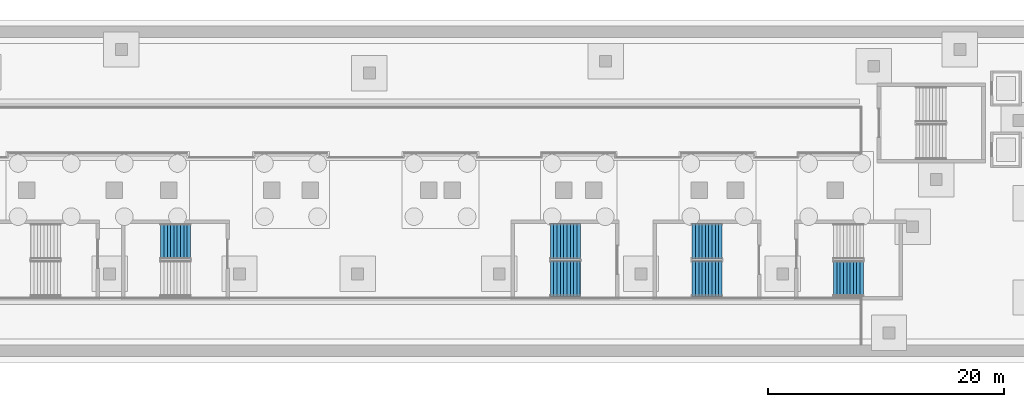
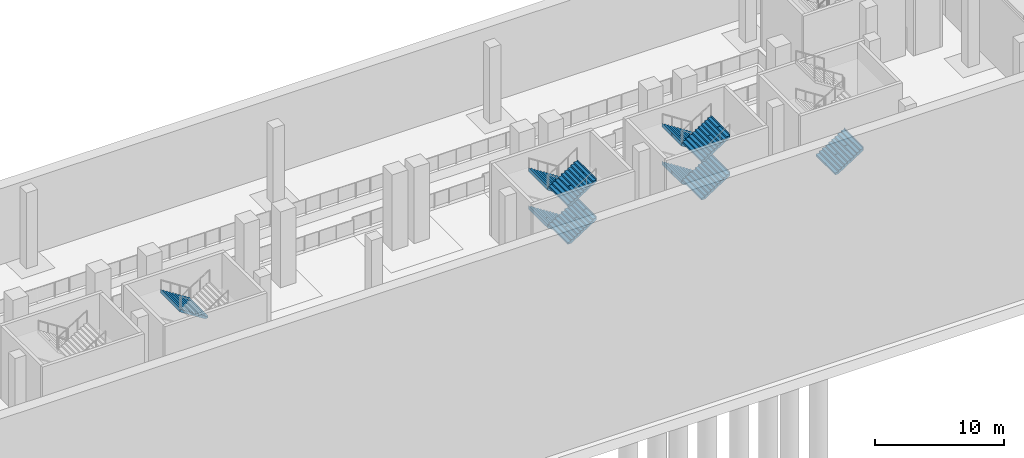
# One storey, part 7 of 15: 10 stair flights, 4 elements without a shape of their own.
"""IFC4 building model written with IfcOpenShell, lengths in metres."""

from ifc_helpers import new_model, si_unit, direction, frame, origin, place, context, subcontext, project, spatial, polyline, outline, extrude, material, type_object, element, aggregate, save


model = new_model("IFC4")

# Units and contexts
model_context = context("Model", 3, precision=1e-05, world=origin(), true_north=direction((0.0, 1.0)))
body_context = subcontext(model_context, "Body", "Model", "MODEL_VIEW")
ifc_project = project(units=[si_unit("LENGTHUNIT", "METRE"), si_unit("AREAUNIT", "SQUARE_METRE"), si_unit("VOLUMEUNIT", "CUBIC_METRE"), si_unit("PLANEANGLEUNIT", "RADIAN"), si_unit("MASSUNIT", "GRAM", prefix="KILO")], contexts=[model_context])

# Site, building, storey
site_placement = place(None, origin())
site = spatial("IfcSite", under=ifc_project, at=site_placement, CompositionType="ELEMENT")
building_placement = place(site_placement, origin())
building = spatial("IfcBuilding", under=site, at=building_placement, Name="Wharfspan Tower", CompositionType="ELEMENT")
storey_placement = place(building_placement, frame((0.0, 0.0, -14.399902)))
storey = spatial("IfcBuildingStorey", under=building, at=storey_placement, Name="B2", CompositionType="ELEMENT", Elevation=-14.399902)

# Stair, stair flight
ifc_material = material(Name="Concrete C40/50", Category="concrete")
stair_type = type_object("IfcStairType", Name="Half-turn stair 3000 wide 40 risers 180 mm", PredefinedType="HALF_TURN_STAIR", material=ifc_material)
stair_1_placement = place(storey_placement, origin())
stair_1 = element("IfcStair", 1, at=stair_1_placement, inside=storey, type_object=stair_type, Name="B2 stair SB2", PredefinedType="HALF_TURN_STAIR")
stair_flight_type = type_object("IfcStairFlightType", Name="Stair flight 3000 wide 40 risers 180 mm", PredefinedType="STRAIGHT", material=ifc_material)
stair_flight_1_placement = place(storey_placement, frame((25.850098, -26.25, 3.599854), z_axis=(0.0, 0.0, 1.0), x_axis=(-1.0, 0.0, 0.0)))
stair_flight_1 = element("IfcStairFlight", 2, at=stair_flight_1_placement, type_object=stair_flight_type, Name="SB2 flight 3", NumberOfRisers=10, NumberOfTreads=9, PredefinedType="STRAIGHT", RiserHeight=0.18, TreadLength=0.28, context=body_context, shape_type="SweptSolid", body=[
    extrude(outline(polyline([(-0.011963, 0.0), (-0.011963, 0.179932), (0.0, 0.179932), (0.280029, 0.179932), (0.280029, 0.360107), (0.560059, 0.360107), (0.560059, 0.540039), (0.840088, 0.540039), (0.840088, 0.719971), (1.120117, 0.719971), (1.120117, 0.899902), (1.399902, 0.899902), (1.399902, 1.080078), (1.679932, 1.080078), (1.679932, 1.26001), (1.959961, 1.26001), (1.959961, 1.439941), (2.23999, 1.439941), (2.23999, 1.620117), (2.52002, 1.620117), (2.531982, 1.800049), (2.531982, 1.441895), (0.2771, 0.0), (-0.011963, 0.0)])), frame((0.0, 1.5, 0.0), z_axis=(0.0, -1.0, 0.0), x_axis=(1.0, 0.0, 0.0)), (0.0, 0.0, 1.0), 1.479492),
    extrude(outline(polyline([(-0.011963, 0.0), (-0.011963, 0.179932), (0.0, 0.179932), (0.280029, 0.179932), (0.280029, 0.360107), (0.560059, 0.360107), (0.560059, 0.540039), (0.840088, 0.540039), (0.840088, 0.719971), (1.120117, 0.719971), (1.120117, 0.899902), (1.399902, 0.899902), (1.399902, 1.080078), (1.679932, 1.080078), (1.679932, 1.26001), (1.959961, 1.26001), (1.959961, 1.439941), (2.23999, 1.439941), (2.23999, 1.620117), (2.52002, 1.620117), (2.531982, 1.800049), (2.531982, 1.441895), (0.2771, 0.0), (-0.011963, 0.0)])), frame((0.0, 0.019531, 0.0), z_axis=(0.0, -1.0, 0.0), x_axis=(1.0, 0.0, 0.0)), (0.0, 0.0, 1.0), 0.019043),
    extrude(outline(polyline([(-0.011963, 0.0), (-0.011963, 0.179932), (0.0, 0.179932), (0.280029, 0.179932), (0.280029, 0.360107), (0.560059, 0.360107), (0.560059, 0.540039), (0.840088, 0.540039), (0.840088, 0.719971), (1.120117, 0.719971), (1.120117, 0.899902), (1.399902, 0.899902), (1.399902, 1.080078), (1.679932, 1.080078), (1.679932, 1.26001), (1.959961, 1.26001), (1.959961, 1.439941), (2.23999, 1.439941), (2.23999, 1.620117), (2.52002, 1.620117), (2.531982, 1.800049), (2.531982, 1.441895), (0.2771, 0.0), (-0.011963, 0.0)])), frame((0.0, -0.000488, 0.0), z_axis=(0.0, -1.0, 0.0), x_axis=(1.0, 0.0, 0.0)), (0.0, 0.0, 1.0), 0.019043),
    extrude(outline(polyline([(-0.011963, 0.0), (-0.011963, 0.179932), (0.0, 0.179932), (0.280029, 0.179932), (0.280029, 0.360107), (0.560059, 0.360107), (0.560059, 0.540039), (0.840088, 0.540039), (0.840088, 0.719971), (1.120117, 0.719971), (1.120117, 0.899902), (1.399902, 0.899902), (1.399902, 1.080078), (1.679932, 1.080078), (1.679932, 1.26001), (1.959961, 1.26001), (1.959961, 1.439941), (2.23999, 1.439941), (2.23999, 1.620117), (2.52002, 1.620117), (2.531982, 1.800049), (2.531982, 1.441895), (0.2771, 0.0), (-0.011963, 0.0)])), frame((0.0, -0.020508, 0.0), z_axis=(0.0, -1.0, 0.0), x_axis=(1.0, 0.0, 0.0)), (0.0, 0.0, 1.0), 1.479492),
])
aggregate(stair_1, [stair_flight_1])

# Stair, stair flights
stair_2_placement = place(storey_placement, origin())
stair_2 = element("IfcStair", 3, at=stair_2_placement, inside=storey, type_object=stair_type, Name="B2 stair SB3", PredefinedType="HALF_TURN_STAIR")
stair_flight_2_placement = place(storey_placement, frame((58.850098, -26.25, 0.0), z_axis=(0.0, 0.0, 1.0), x_axis=(-1.0, 0.0, 0.0)))
stair_flight_2 = element("IfcStairFlight", 4, at=stair_flight_2_placement, type_object=stair_flight_type, Name="SB3 flight 1", NumberOfRisers=10, NumberOfTreads=9, PredefinedType="STRAIGHT", RiserHeight=0.18, TreadLength=0.28, context=body_context, shape_type="SweptSolid", body=[
    extrude(outline(polyline([(-0.011963, 0.0), (-0.011963, 0.179932), (0.0, 0.179932), (0.280029, 0.179932), (0.280029, 0.360107), (0.560059, 0.360107), (0.560059, 0.540039), (0.840088, 0.540039), (0.840088, 0.719971), (1.120117, 0.719971), (1.120117, 0.899902), (1.399902, 0.899902), (1.399902, 1.080078), (1.679932, 1.080078), (1.679932, 1.26001), (1.959961, 1.26001), (1.959961, 1.439941), (2.23999, 1.439941), (2.23999, 1.620117), (2.52002, 1.620117), (2.531982, 1.800049), (2.531982, 1.441895), (0.2771, 0.0), (-0.011963, 0.0)])), frame((0.0, 1.5, 0.0), z_axis=(0.0, -1.0, 0.0), x_axis=(1.0, 0.0, 0.0)), (0.0, 0.0, 1.0), 1.479492),
    extrude(outline(polyline([(-0.011963, 0.0), (-0.011963, 0.179932), (0.0, 0.179932), (0.280029, 0.179932), (0.280029, 0.360107), (0.560059, 0.360107), (0.560059, 0.540039), (0.840088, 0.540039), (0.840088, 0.719971), (1.120117, 0.719971), (1.120117, 0.899902), (1.399902, 0.899902), (1.399902, 1.080078), (1.679932, 1.080078), (1.679932, 1.26001), (1.959961, 1.26001), (1.959961, 1.439941), (2.23999, 1.439941), (2.23999, 1.620117), (2.52002, 1.620117), (2.531982, 1.800049), (2.531982, 1.441895), (0.2771, 0.0), (-0.011963, 0.0)])), frame((0.0, 0.019531, 0.0), z_axis=(0.0, -1.0, 0.0), x_axis=(1.0, 0.0, 0.0)), (0.0, 0.0, 1.0), 0.019043),
    extrude(outline(polyline([(-0.011963, 0.0), (-0.011963, 0.179932), (0.0, 0.179932), (0.280029, 0.179932), (0.280029, 0.360107), (0.560059, 0.360107), (0.560059, 0.540039), (0.840088, 0.540039), (0.840088, 0.719971), (1.120117, 0.719971), (1.120117, 0.899902), (1.399902, 0.899902), (1.399902, 1.080078), (1.679932, 1.080078), (1.679932, 1.26001), (1.959961, 1.26001), (1.959961, 1.439941), (2.23999, 1.439941), (2.23999, 1.620117), (2.52002, 1.620117), (2.531982, 1.800049), (2.531982, 1.441895), (0.2771, 0.0), (-0.011963, 0.0)])), frame((0.0, -0.000488, 0.0), z_axis=(0.0, -1.0, 0.0), x_axis=(1.0, 0.0, 0.0)), (0.0, 0.0, 1.0), 0.019043),
    extrude(outline(polyline([(-0.011963, 0.0), (-0.011963, 0.179932), (0.0, 0.179932), (0.280029, 0.179932), (0.280029, 0.360107), (0.560059, 0.360107), (0.560059, 0.540039), (0.840088, 0.540039), (0.840088, 0.719971), (1.120117, 0.719971), (1.120117, 0.899902), (1.399902, 0.899902), (1.399902, 1.080078), (1.679932, 1.080078), (1.679932, 1.26001), (1.959961, 1.26001), (1.959961, 1.439941), (2.23999, 1.439941), (2.23999, 1.620117), (2.52002, 1.620117), (2.531982, 1.800049), (2.531982, 1.441895), (0.2771, 0.0), (-0.011963, 0.0)])), frame((0.0, -0.020508, 0.0), z_axis=(0.0, -1.0, 0.0), x_axis=(1.0, 0.0, 0.0)), (0.0, 0.0, 1.0), 1.479492),
])
stair_flight_3_placement = place(storey_placement, frame((56.330078, -29.399902, 1.799805), z_axis=(0.0, 0.0, 1.0), x_axis=(1.0, 0.0, 0.0)))
stair_flight_3 = element("IfcStairFlight", 5, at=stair_flight_3_placement, type_object=stair_flight_type, Name="SB3 flight 2", NumberOfRisers=10, NumberOfTreads=9, PredefinedType="STRAIGHT", RiserHeight=0.18, TreadLength=0.28, context=body_context, shape_type="SweptSolid", body=[
    extrude(outline(polyline([(-0.011963, 0.0), (-0.011963, 0.179932), (0.0, 0.179932), (0.280029, 0.179932), (0.280029, 0.360107), (0.560059, 0.360107), (0.560059, 0.540039), (0.840088, 0.540039), (0.840088, 0.719971), (1.120117, 0.719971), (1.120117, 0.899902), (1.399902, 0.899902), (1.399902, 1.080078), (1.679932, 1.080078), (1.679932, 1.26001), (1.959961, 1.26001), (1.959961, 1.439941), (2.23999, 1.439941), (2.23999, 1.620117), (2.52002, 1.620117), (2.531982, 1.800049), (2.531982, 1.441895), (0.2771, 0.0), (-0.011963, 0.0)])), frame((0.0, 1.5, 0.0), z_axis=(0.0, -1.0, 0.0), x_axis=(1.0, 0.0, 0.0)), (0.0, 0.0, 1.0), 1.479492),
    extrude(outline(polyline([(-0.011963, 0.0), (-0.011963, 0.179932), (0.0, 0.179932), (0.280029, 0.179932), (0.280029, 0.360107), (0.560059, 0.360107), (0.560059, 0.540039), (0.840088, 0.540039), (0.840088, 0.719971), (1.120117, 0.719971), (1.120117, 0.899902), (1.399902, 0.899902), (1.399902, 1.080078), (1.679932, 1.080078), (1.679932, 1.26001), (1.959961, 1.26001), (1.959961, 1.439941), (2.23999, 1.439941), (2.23999, 1.620117), (2.52002, 1.620117), (2.531982, 1.800049), (2.531982, 1.441895), (0.2771, 0.0), (-0.011963, 0.0)])), frame((0.0, 0.019531, 0.0), z_axis=(0.0, -1.0, 0.0), x_axis=(1.0, 0.0, 0.0)), (0.0, 0.0, 1.0), 0.019043),
    extrude(outline(polyline([(-0.011963, 0.0), (-0.011963, 0.179932), (0.0, 0.179932), (0.280029, 0.179932), (0.280029, 0.360107), (0.560059, 0.360107), (0.560059, 0.540039), (0.840088, 0.540039), (0.840088, 0.719971), (1.120117, 0.719971), (1.120117, 0.899902), (1.399902, 0.899902), (1.399902, 1.080078), (1.679932, 1.080078), (1.679932, 1.26001), (1.959961, 1.26001), (1.959961, 1.439941), (2.23999, 1.439941), (2.23999, 1.620117), (2.52002, 1.620117), (2.531982, 1.800049), (2.531982, 1.441895), (0.2771, 0.0), (-0.011963, 0.0)])), frame((0.0, -0.000488, 0.0), z_axis=(0.0, -1.0, 0.0), x_axis=(1.0, 0.0, 0.0)), (0.0, 0.0, 1.0), 0.019043),
    extrude(outline(polyline([(-0.011963, 0.0), (-0.011963, 0.179932), (0.0, 0.179932), (0.280029, 0.179932), (0.280029, 0.360107), (0.560059, 0.360107), (0.560059, 0.540039), (0.840088, 0.540039), (0.840088, 0.719971), (1.120117, 0.719971), (1.120117, 0.899902), (1.399902, 0.899902), (1.399902, 1.080078), (1.679932, 1.080078), (1.679932, 1.26001), (1.959961, 1.26001), (1.959961, 1.439941), (2.23999, 1.439941), (2.23999, 1.620117), (2.52002, 1.620117), (2.531982, 1.800049), (2.531982, 1.441895), (0.2771, 0.0), (-0.011963, 0.0)])), frame((0.0, -0.020508, 0.0), z_axis=(0.0, -1.0, 0.0), x_axis=(1.0, 0.0, 0.0)), (0.0, 0.0, 1.0), 1.479492),
])
stair_flight_4_placement = place(storey_placement, frame((58.850098, -26.25, 3.599854), z_axis=(0.0, 0.0, 1.0), x_axis=(-1.0, 0.0, 0.0)))
stair_flight_4 = element("IfcStairFlight", 6, at=stair_flight_4_placement, type_object=stair_flight_type, Name="SB3 flight 3", NumberOfRisers=10, NumberOfTreads=9, PredefinedType="STRAIGHT", RiserHeight=0.18, TreadLength=0.28, context=body_context, shape_type="SweptSolid", body=[
    extrude(outline(polyline([(-0.011963, 0.0), (-0.011963, 0.179932), (0.0, 0.179932), (0.280029, 0.179932), (0.280029, 0.360107), (0.560059, 0.360107), (0.560059, 0.540039), (0.840088, 0.540039), (0.840088, 0.719971), (1.120117, 0.719971), (1.120117, 0.899902), (1.399902, 0.899902), (1.399902, 1.080078), (1.679932, 1.080078), (1.679932, 1.26001), (1.959961, 1.26001), (1.959961, 1.439941), (2.23999, 1.439941), (2.23999, 1.620117), (2.52002, 1.620117), (2.531982, 1.800049), (2.531982, 1.441895), (0.2771, 0.0), (-0.011963, 0.0)])), frame((0.0, 1.5, 0.0), z_axis=(0.0, -1.0, 0.0), x_axis=(1.0, 0.0, 0.0)), (0.0, 0.0, 1.0), 1.479492),
    extrude(outline(polyline([(-0.011963, 0.0), (-0.011963, 0.179932), (0.0, 0.179932), (0.280029, 0.179932), (0.280029, 0.360107), (0.560059, 0.360107), (0.560059, 0.540039), (0.840088, 0.540039), (0.840088, 0.719971), (1.120117, 0.719971), (1.120117, 0.899902), (1.399902, 0.899902), (1.399902, 1.080078), (1.679932, 1.080078), (1.679932, 1.26001), (1.959961, 1.26001), (1.959961, 1.439941), (2.23999, 1.439941), (2.23999, 1.620117), (2.52002, 1.620117), (2.531982, 1.800049), (2.531982, 1.441895), (0.2771, 0.0), (-0.011963, 0.0)])), frame((0.0, 0.019531, 0.0), z_axis=(0.0, -1.0, 0.0), x_axis=(1.0, 0.0, 0.0)), (0.0, 0.0, 1.0), 0.019043),
    extrude(outline(polyline([(-0.011963, 0.0), (-0.011963, 0.179932), (0.0, 0.179932), (0.280029, 0.179932), (0.280029, 0.360107), (0.560059, 0.360107), (0.560059, 0.540039), (0.840088, 0.540039), (0.840088, 0.719971), (1.120117, 0.719971), (1.120117, 0.899902), (1.399902, 0.899902), (1.399902, 1.080078), (1.679932, 1.080078), (1.679932, 1.26001), (1.959961, 1.26001), (1.959961, 1.439941), (2.23999, 1.439941), (2.23999, 1.620117), (2.52002, 1.620117), (2.531982, 1.800049), (2.531982, 1.441895), (0.2771, 0.0), (-0.011963, 0.0)])), frame((0.0, -0.000488, 0.0), z_axis=(0.0, -1.0, 0.0), x_axis=(1.0, 0.0, 0.0)), (0.0, 0.0, 1.0), 0.019043),
    extrude(outline(polyline([(-0.011963, 0.0), (-0.011963, 0.179932), (0.0, 0.179932), (0.280029, 0.179932), (0.280029, 0.360107), (0.560059, 0.360107), (0.560059, 0.540039), (0.840088, 0.540039), (0.840088, 0.719971), (1.120117, 0.719971), (1.120117, 0.899902), (1.399902, 0.899902), (1.399902, 1.080078), (1.679932, 1.080078), (1.679932, 1.26001), (1.959961, 1.26001), (1.959961, 1.439941), (2.23999, 1.439941), (2.23999, 1.620117), (2.52002, 1.620117), (2.531982, 1.800049), (2.531982, 1.441895), (0.2771, 0.0), (-0.011963, 0.0)])), frame((0.0, -0.020508, 0.0), z_axis=(0.0, -1.0, 0.0), x_axis=(1.0, 0.0, 0.0)), (0.0, 0.0, 1.0), 1.479492),
])
stair_flight_5_placement = place(storey_placement, frame((56.330078, -29.399902, 5.399902), z_axis=(0.0, 0.0, 1.0), x_axis=(1.0, 0.0, 0.0)))
stair_flight_5 = element("IfcStairFlight", 7, at=stair_flight_5_placement, type_object=stair_flight_type, Name="SB3 flight 4", NumberOfRisers=10, NumberOfTreads=9, PredefinedType="STRAIGHT", RiserHeight=0.18, TreadLength=0.28, context=body_context, shape_type="SweptSolid", body=[
    extrude(outline(polyline([(-0.011963, 0.0), (-0.011963, 0.179932), (0.0, 0.179932), (0.280029, 0.179932), (0.280029, 0.360107), (0.560059, 0.360107), (0.560059, 0.540039), (0.840088, 0.540039), (0.840088, 0.719971), (1.120117, 0.719971), (1.120117, 0.899902), (1.399902, 0.899902), (1.399902, 1.080078), (1.679932, 1.080078), (1.679932, 1.26001), (1.959961, 1.26001), (1.959961, 1.439941), (2.23999, 1.439941), (2.23999, 1.620117), (2.52002, 1.620117), (2.531982, 1.800049), (2.531982, 1.441895), (0.2771, 0.0), (-0.011963, 0.0)])), frame((0.0, 1.5, 0.0), z_axis=(0.0, -1.0, 0.0), x_axis=(1.0, 0.0, 0.0)), (0.0, 0.0, 1.0), 1.479492),
    extrude(outline(polyline([(-0.011963, 0.0), (-0.011963, 0.179932), (0.0, 0.179932), (0.280029, 0.179932), (0.280029, 0.360107), (0.560059, 0.360107), (0.560059, 0.540039), (0.840088, 0.540039), (0.840088, 0.719971), (1.120117, 0.719971), (1.120117, 0.899902), (1.399902, 0.899902), (1.399902, 1.080078), (1.679932, 1.080078), (1.679932, 1.26001), (1.959961, 1.26001), (1.959961, 1.439941), (2.23999, 1.439941), (2.23999, 1.620117), (2.52002, 1.620117), (2.531982, 1.800049), (2.531982, 1.441895), (0.2771, 0.0), (-0.011963, 0.0)])), frame((0.0, 0.019531, 0.0), z_axis=(0.0, -1.0, 0.0), x_axis=(1.0, 0.0, 0.0)), (0.0, 0.0, 1.0), 0.019043),
    extrude(outline(polyline([(-0.011963, 0.0), (-0.011963, 0.179932), (0.0, 0.179932), (0.280029, 0.179932), (0.280029, 0.360107), (0.560059, 0.360107), (0.560059, 0.540039), (0.840088, 0.540039), (0.840088, 0.719971), (1.120117, 0.719971), (1.120117, 0.899902), (1.399902, 0.899902), (1.399902, 1.080078), (1.679932, 1.080078), (1.679932, 1.26001), (1.959961, 1.26001), (1.959961, 1.439941), (2.23999, 1.439941), (2.23999, 1.620117), (2.52002, 1.620117), (2.531982, 1.800049), (2.531982, 1.441895), (0.2771, 0.0), (-0.011963, 0.0)])), frame((0.0, -0.000488, 0.0), z_axis=(0.0, -1.0, 0.0), x_axis=(1.0, 0.0, 0.0)), (0.0, 0.0, 1.0), 0.019043),
    extrude(outline(polyline([(-0.011963, 0.0), (-0.011963, 0.179932), (0.0, 0.179932), (0.280029, 0.179932), (0.280029, 0.360107), (0.560059, 0.360107), (0.560059, 0.540039), (0.840088, 0.540039), (0.840088, 0.719971), (1.120117, 0.719971), (1.120117, 0.899902), (1.399902, 0.899902), (1.399902, 1.080078), (1.679932, 1.080078), (1.679932, 1.26001), (1.959961, 1.26001), (1.959961, 1.439941), (2.23999, 1.439941), (2.23999, 1.620117), (2.52002, 1.620117), (2.531982, 1.800049), (2.531982, 1.441895), (0.2771, 0.0), (-0.011963, 0.0)])), frame((0.0, -0.020508, 0.0), z_axis=(0.0, -1.0, 0.0), x_axis=(1.0, 0.0, 0.0)), (0.0, 0.0, 1.0), 1.479492),
])
aggregate(stair_2, [stair_flight_2, stair_flight_3, stair_flight_4, stair_flight_5])

stair_3_placement = place(storey_placement, origin())
stair_3 = element("IfcStair", 8, at=stair_3_placement, inside=storey, type_object=stair_type, Name="B2 stair SB4", PredefinedType="HALF_TURN_STAIR")
stair_flight_6_placement = place(storey_placement, frame((70.850098, -26.25, 0.0), z_axis=(0.0, 0.0, 1.0), x_axis=(-1.0, 0.0, 0.0)))
stair_flight_6 = element("IfcStairFlight", 9, at=stair_flight_6_placement, type_object=stair_flight_type, Name="SB4 flight 1", NumberOfRisers=10, NumberOfTreads=9, PredefinedType="STRAIGHT", RiserHeight=0.18, TreadLength=0.28, context=body_context, shape_type="SweptSolid", body=[
    extrude(outline(polyline([(-0.011963, 0.0), (-0.011963, 0.179932), (0.0, 0.179932), (0.280029, 0.179932), (0.280029, 0.360107), (0.560059, 0.360107), (0.560059, 0.540039), (0.840088, 0.540039), (0.840088, 0.719971), (1.120117, 0.719971), (1.120117, 0.899902), (1.399902, 0.899902), (1.399902, 1.080078), (1.679932, 1.080078), (1.679932, 1.26001), (1.959961, 1.26001), (1.959961, 1.439941), (2.23999, 1.439941), (2.23999, 1.620117), (2.52002, 1.620117), (2.531982, 1.800049), (2.531982, 1.441895), (0.2771, 0.0), (-0.011963, 0.0)])), frame((0.0, 1.5, 0.0), z_axis=(0.0, -1.0, 0.0), x_axis=(1.0, 0.0, 0.0)), (0.0, 0.0, 1.0), 1.479492),
    extrude(outline(polyline([(-0.011963, 0.0), (-0.011963, 0.179932), (0.0, 0.179932), (0.280029, 0.179932), (0.280029, 0.360107), (0.560059, 0.360107), (0.560059, 0.540039), (0.840088, 0.540039), (0.840088, 0.719971), (1.120117, 0.719971), (1.120117, 0.899902), (1.399902, 0.899902), (1.399902, 1.080078), (1.679932, 1.080078), (1.679932, 1.26001), (1.959961, 1.26001), (1.959961, 1.439941), (2.23999, 1.439941), (2.23999, 1.620117), (2.52002, 1.620117), (2.531982, 1.800049), (2.531982, 1.441895), (0.2771, 0.0), (-0.011963, 0.0)])), frame((0.0, 0.019531, 0.0), z_axis=(0.0, -1.0, 0.0), x_axis=(1.0, 0.0, 0.0)), (0.0, 0.0, 1.0), 0.019043),
    extrude(outline(polyline([(-0.011963, 0.0), (-0.011963, 0.179932), (0.0, 0.179932), (0.280029, 0.179932), (0.280029, 0.360107), (0.560059, 0.360107), (0.560059, 0.540039), (0.840088, 0.540039), (0.840088, 0.719971), (1.120117, 0.719971), (1.120117, 0.899902), (1.399902, 0.899902), (1.399902, 1.080078), (1.679932, 1.080078), (1.679932, 1.26001), (1.959961, 1.26001), (1.959961, 1.439941), (2.23999, 1.439941), (2.23999, 1.620117), (2.52002, 1.620117), (2.531982, 1.800049), (2.531982, 1.441895), (0.2771, 0.0), (-0.011963, 0.0)])), frame((0.0, -0.000488, 0.0), z_axis=(0.0, -1.0, 0.0), x_axis=(1.0, 0.0, 0.0)), (0.0, 0.0, 1.0), 0.019043),
    extrude(outline(polyline([(-0.011963, 0.0), (-0.011963, 0.179932), (0.0, 0.179932), (0.280029, 0.179932), (0.280029, 0.360107), (0.560059, 0.360107), (0.560059, 0.540039), (0.840088, 0.540039), (0.840088, 0.719971), (1.120117, 0.719971), (1.120117, 0.899902), (1.399902, 0.899902), (1.399902, 1.080078), (1.679932, 1.080078), (1.679932, 1.26001), (1.959961, 1.26001), (1.959961, 1.439941), (2.23999, 1.439941), (2.23999, 1.620117), (2.52002, 1.620117), (2.531982, 1.800049), (2.531982, 1.441895), (0.2771, 0.0), (-0.011963, 0.0)])), frame((0.0, -0.020508, 0.0), z_axis=(0.0, -1.0, 0.0), x_axis=(1.0, 0.0, 0.0)), (0.0, 0.0, 1.0), 1.479492),
])
stair_flight_7_placement = place(storey_placement, frame((68.330078, -29.399902, 1.799805), z_axis=(0.0, 0.0, 1.0), x_axis=(1.0, 0.0, 0.0)))
stair_flight_7 = element("IfcStairFlight", 10, at=stair_flight_7_placement, type_object=stair_flight_type, Name="SB4 flight 2", NumberOfRisers=10, NumberOfTreads=9, PredefinedType="STRAIGHT", RiserHeight=0.18, TreadLength=0.28, context=body_context, shape_type="SweptSolid", body=[
    extrude(outline(polyline([(-0.011963, 0.0), (-0.011963, 0.179932), (0.0, 0.179932), (0.280029, 0.179932), (0.280029, 0.360107), (0.560059, 0.360107), (0.560059, 0.540039), (0.840088, 0.540039), (0.840088, 0.719971), (1.120117, 0.719971), (1.120117, 0.899902), (1.399902, 0.899902), (1.399902, 1.080078), (1.679932, 1.080078), (1.679932, 1.26001), (1.959961, 1.26001), (1.959961, 1.439941), (2.23999, 1.439941), (2.23999, 1.620117), (2.52002, 1.620117), (2.531982, 1.800049), (2.531982, 1.441895), (0.2771, 0.0), (-0.011963, 0.0)])), frame((0.0, 1.5, 0.0), z_axis=(0.0, -1.0, 0.0), x_axis=(1.0, 0.0, 0.0)), (0.0, 0.0, 1.0), 1.479492),
    extrude(outline(polyline([(-0.011963, 0.0), (-0.011963, 0.179932), (0.0, 0.179932), (0.280029, 0.179932), (0.280029, 0.360107), (0.560059, 0.360107), (0.560059, 0.540039), (0.840088, 0.540039), (0.840088, 0.719971), (1.120117, 0.719971), (1.120117, 0.899902), (1.399902, 0.899902), (1.399902, 1.080078), (1.679932, 1.080078), (1.679932, 1.26001), (1.959961, 1.26001), (1.959961, 1.439941), (2.23999, 1.439941), (2.23999, 1.620117), (2.52002, 1.620117), (2.531982, 1.800049), (2.531982, 1.441895), (0.2771, 0.0), (-0.011963, 0.0)])), frame((0.0, 0.019531, 0.0), z_axis=(0.0, -1.0, 0.0), x_axis=(1.0, 0.0, 0.0)), (0.0, 0.0, 1.0), 0.019043),
    extrude(outline(polyline([(-0.011963, 0.0), (-0.011963, 0.179932), (0.0, 0.179932), (0.280029, 0.179932), (0.280029, 0.360107), (0.560059, 0.360107), (0.560059, 0.540039), (0.840088, 0.540039), (0.840088, 0.719971), (1.120117, 0.719971), (1.120117, 0.899902), (1.399902, 0.899902), (1.399902, 1.080078), (1.679932, 1.080078), (1.679932, 1.26001), (1.959961, 1.26001), (1.959961, 1.439941), (2.23999, 1.439941), (2.23999, 1.620117), (2.52002, 1.620117), (2.531982, 1.800049), (2.531982, 1.441895), (0.2771, 0.0), (-0.011963, 0.0)])), frame((0.0, -0.000488, 0.0), z_axis=(0.0, -1.0, 0.0), x_axis=(1.0, 0.0, 0.0)), (0.0, 0.0, 1.0), 0.019043),
    extrude(outline(polyline([(-0.011963, 0.0), (-0.011963, 0.179932), (0.0, 0.179932), (0.280029, 0.179932), (0.280029, 0.360107), (0.560059, 0.360107), (0.560059, 0.540039), (0.840088, 0.540039), (0.840088, 0.719971), (1.120117, 0.719971), (1.120117, 0.899902), (1.399902, 0.899902), (1.399902, 1.080078), (1.679932, 1.080078), (1.679932, 1.26001), (1.959961, 1.26001), (1.959961, 1.439941), (2.23999, 1.439941), (2.23999, 1.620117), (2.52002, 1.620117), (2.531982, 1.800049), (2.531982, 1.441895), (0.2771, 0.0), (-0.011963, 0.0)])), frame((0.0, -0.020508, 0.0), z_axis=(0.0, -1.0, 0.0), x_axis=(1.0, 0.0, 0.0)), (0.0, 0.0, 1.0), 1.479492),
])
stair_flight_8_placement = place(storey_placement, frame((70.850098, -26.25, 3.599854), z_axis=(0.0, 0.0, 1.0), x_axis=(-1.0, 0.0, 0.0)))
stair_flight_8 = element("IfcStairFlight", 11, at=stair_flight_8_placement, type_object=stair_flight_type, Name="SB4 flight 3", NumberOfRisers=10, NumberOfTreads=9, PredefinedType="STRAIGHT", RiserHeight=0.18, TreadLength=0.28, context=body_context, shape_type="SweptSolid", body=[
    extrude(outline(polyline([(-0.011963, 0.0), (-0.011963, 0.179932), (0.0, 0.179932), (0.280029, 0.179932), (0.280029, 0.360107), (0.560059, 0.360107), (0.560059, 0.540039), (0.840088, 0.540039), (0.840088, 0.719971), (1.120117, 0.719971), (1.120117, 0.899902), (1.399902, 0.899902), (1.399902, 1.080078), (1.679932, 1.080078), (1.679932, 1.26001), (1.959961, 1.26001), (1.959961, 1.439941), (2.23999, 1.439941), (2.23999, 1.620117), (2.52002, 1.620117), (2.531982, 1.800049), (2.531982, 1.441895), (0.2771, 0.0), (-0.011963, 0.0)])), frame((0.0, 1.5, 0.0), z_axis=(0.0, -1.0, 0.0), x_axis=(1.0, 0.0, 0.0)), (0.0, 0.0, 1.0), 1.479492),
    extrude(outline(polyline([(-0.011963, 0.0), (-0.011963, 0.179932), (0.0, 0.179932), (0.280029, 0.179932), (0.280029, 0.360107), (0.560059, 0.360107), (0.560059, 0.540039), (0.840088, 0.540039), (0.840088, 0.719971), (1.120117, 0.719971), (1.120117, 0.899902), (1.399902, 0.899902), (1.399902, 1.080078), (1.679932, 1.080078), (1.679932, 1.26001), (1.959961, 1.26001), (1.959961, 1.439941), (2.23999, 1.439941), (2.23999, 1.620117), (2.52002, 1.620117), (2.531982, 1.800049), (2.531982, 1.441895), (0.2771, 0.0), (-0.011963, 0.0)])), frame((0.0, 0.019531, 0.0), z_axis=(0.0, -1.0, 0.0), x_axis=(1.0, 0.0, 0.0)), (0.0, 0.0, 1.0), 0.019043),
    extrude(outline(polyline([(-0.011963, 0.0), (-0.011963, 0.179932), (0.0, 0.179932), (0.280029, 0.179932), (0.280029, 0.360107), (0.560059, 0.360107), (0.560059, 0.540039), (0.840088, 0.540039), (0.840088, 0.719971), (1.120117, 0.719971), (1.120117, 0.899902), (1.399902, 0.899902), (1.399902, 1.080078), (1.679932, 1.080078), (1.679932, 1.26001), (1.959961, 1.26001), (1.959961, 1.439941), (2.23999, 1.439941), (2.23999, 1.620117), (2.52002, 1.620117), (2.531982, 1.800049), (2.531982, 1.441895), (0.2771, 0.0), (-0.011963, 0.0)])), frame((0.0, -0.000488, 0.0), z_axis=(0.0, -1.0, 0.0), x_axis=(1.0, 0.0, 0.0)), (0.0, 0.0, 1.0), 0.019043),
    extrude(outline(polyline([(-0.011963, 0.0), (-0.011963, 0.179932), (0.0, 0.179932), (0.280029, 0.179932), (0.280029, 0.360107), (0.560059, 0.360107), (0.560059, 0.540039), (0.840088, 0.540039), (0.840088, 0.719971), (1.120117, 0.719971), (1.120117, 0.899902), (1.399902, 0.899902), (1.399902, 1.080078), (1.679932, 1.080078), (1.679932, 1.26001), (1.959961, 1.26001), (1.959961, 1.439941), (2.23999, 1.439941), (2.23999, 1.620117), (2.52002, 1.620117), (2.531982, 1.800049), (2.531982, 1.441895), (0.2771, 0.0), (-0.011963, 0.0)])), frame((0.0, -0.020508, 0.0), z_axis=(0.0, -1.0, 0.0), x_axis=(1.0, 0.0, 0.0)), (0.0, 0.0, 1.0), 1.479492),
])
stair_flight_9_placement = place(storey_placement, frame((68.330078, -29.399902, 5.399902), z_axis=(0.0, 0.0, 1.0), x_axis=(1.0, 0.0, 0.0)))
stair_flight_9 = element("IfcStairFlight", 12, at=stair_flight_9_placement, type_object=stair_flight_type, Name="SB4 flight 4", NumberOfRisers=10, NumberOfTreads=9, PredefinedType="STRAIGHT", RiserHeight=0.18, TreadLength=0.28, context=body_context, shape_type="SweptSolid", body=[
    extrude(outline(polyline([(-0.011963, 0.0), (-0.011963, 0.179932), (0.0, 0.179932), (0.280029, 0.179932), (0.280029, 0.360107), (0.560059, 0.360107), (0.560059, 0.540039), (0.840088, 0.540039), (0.840088, 0.719971), (1.120117, 0.719971), (1.120117, 0.899902), (1.399902, 0.899902), (1.399902, 1.080078), (1.679932, 1.080078), (1.679932, 1.26001), (1.959961, 1.26001), (1.959961, 1.439941), (2.23999, 1.439941), (2.23999, 1.620117), (2.52002, 1.620117), (2.531982, 1.800049), (2.531982, 1.441895), (0.2771, 0.0), (-0.011963, 0.0)])), frame((0.0, 1.5, 0.0), z_axis=(0.0, -1.0, 0.0), x_axis=(1.0, 0.0, 0.0)), (0.0, 0.0, 1.0), 1.479492),
    extrude(outline(polyline([(-0.011963, 0.0), (-0.011963, 0.179932), (0.0, 0.179932), (0.280029, 0.179932), (0.280029, 0.360107), (0.560059, 0.360107), (0.560059, 0.540039), (0.840088, 0.540039), (0.840088, 0.719971), (1.120117, 0.719971), (1.120117, 0.899902), (1.399902, 0.899902), (1.399902, 1.080078), (1.679932, 1.080078), (1.679932, 1.26001), (1.959961, 1.26001), (1.959961, 1.439941), (2.23999, 1.439941), (2.23999, 1.620117), (2.52002, 1.620117), (2.531982, 1.800049), (2.531982, 1.441895), (0.2771, 0.0), (-0.011963, 0.0)])), frame((0.0, 0.019531, 0.0), z_axis=(0.0, -1.0, 0.0), x_axis=(1.0, 0.0, 0.0)), (0.0, 0.0, 1.0), 0.019043),
    extrude(outline(polyline([(-0.011963, 0.0), (-0.011963, 0.179932), (0.0, 0.179932), (0.280029, 0.179932), (0.280029, 0.360107), (0.560059, 0.360107), (0.560059, 0.540039), (0.840088, 0.540039), (0.840088, 0.719971), (1.120117, 0.719971), (1.120117, 0.899902), (1.399902, 0.899902), (1.399902, 1.080078), (1.679932, 1.080078), (1.679932, 1.26001), (1.959961, 1.26001), (1.959961, 1.439941), (2.23999, 1.439941), (2.23999, 1.620117), (2.52002, 1.620117), (2.531982, 1.800049), (2.531982, 1.441895), (0.2771, 0.0), (-0.011963, 0.0)])), frame((0.0, -0.000488, 0.0), z_axis=(0.0, -1.0, 0.0), x_axis=(1.0, 0.0, 0.0)), (0.0, 0.0, 1.0), 0.019043),
    extrude(outline(polyline([(-0.011963, 0.0), (-0.011963, 0.179932), (0.0, 0.179932), (0.280029, 0.179932), (0.280029, 0.360107), (0.560059, 0.360107), (0.560059, 0.540039), (0.840088, 0.540039), (0.840088, 0.719971), (1.120117, 0.719971), (1.120117, 0.899902), (1.399902, 0.899902), (1.399902, 1.080078), (1.679932, 1.080078), (1.679932, 1.26001), (1.959961, 1.26001), (1.959961, 1.439941), (2.23999, 1.439941), (2.23999, 1.620117), (2.52002, 1.620117), (2.531982, 1.800049), (2.531982, 1.441895), (0.2771, 0.0), (-0.011963, 0.0)])), frame((0.0, -0.020508, 0.0), z_axis=(0.0, -1.0, 0.0), x_axis=(1.0, 0.0, 0.0)), (0.0, 0.0, 1.0), 1.479492),
])
aggregate(stair_3, [stair_flight_6, stair_flight_7, stair_flight_8, stair_flight_9])

# Stair, stair flight
stair_4_placement = place(storey_placement, origin())
stair_4 = element("IfcStair", 13, at=stair_4_placement, inside=storey, type_object=stair_type, Name="B2 stair SB5", PredefinedType="HALF_TURN_STAIR")
stair_flight_10_placement = place(storey_placement, frame((80.300049, -29.399902, 0.0), z_axis=(0.0, 0.0, 1.0), x_axis=(1.0, 0.0, 0.0)))
stair_flight_10 = element("IfcStairFlight", 14, at=stair_flight_10_placement, type_object=stair_flight_type, Name="SB5 flight 1", NumberOfRisers=10, NumberOfTreads=9, PredefinedType="STRAIGHT", RiserHeight=0.18, TreadLength=0.28, context=body_context, shape_type="SweptSolid", body=[
    extrude(outline(polyline([(-0.011963, 0.0), (-0.011963, 0.179932), (0.0, 0.179932), (0.280029, 0.179932), (0.280029, 0.360107), (0.560059, 0.360107), (0.560059, 0.540039), (0.840088, 0.540039), (0.840088, 0.719971), (1.120117, 0.719971), (1.120117, 0.899902), (1.399902, 0.899902), (1.399902, 1.080078), (1.679932, 1.080078), (1.679932, 1.26001), (1.959961, 1.26001), (1.959961, 1.439941), (2.23999, 1.439941), (2.23999, 1.620117), (2.52002, 1.620117), (2.531982, 1.800049), (2.531982, 1.441895), (0.2771, 0.0), (-0.011963, 0.0)])), frame((0.0, 1.5, 0.0), z_axis=(0.0, -1.0, 0.0), x_axis=(1.0, 0.0, 0.0)), (0.0, 0.0, 1.0), 1.479492),
    extrude(outline(polyline([(-0.011963, 0.0), (-0.011963, 0.179932), (0.0, 0.179932), (0.280029, 0.179932), (0.280029, 0.360107), (0.560059, 0.360107), (0.560059, 0.540039), (0.840088, 0.540039), (0.840088, 0.719971), (1.120117, 0.719971), (1.120117, 0.899902), (1.399902, 0.899902), (1.399902, 1.080078), (1.679932, 1.080078), (1.679932, 1.26001), (1.959961, 1.26001), (1.959961, 1.439941), (2.23999, 1.439941), (2.23999, 1.620117), (2.52002, 1.620117), (2.531982, 1.800049), (2.531982, 1.441895), (0.2771, 0.0), (-0.011963, 0.0)])), frame((0.0, 0.019531, 0.0), z_axis=(0.0, -1.0, 0.0), x_axis=(1.0, 0.0, 0.0)), (0.0, 0.0, 1.0), 0.019043),
    extrude(outline(polyline([(-0.011963, 0.0), (-0.011963, 0.179932), (0.0, 0.179932), (0.280029, 0.179932), (0.280029, 0.360107), (0.560059, 0.360107), (0.560059, 0.540039), (0.840088, 0.540039), (0.840088, 0.719971), (1.120117, 0.719971), (1.120117, 0.899902), (1.399902, 0.899902), (1.399902, 1.080078), (1.679932, 1.080078), (1.679932, 1.26001), (1.959961, 1.26001), (1.959961, 1.439941), (2.23999, 1.439941), (2.23999, 1.620117), (2.52002, 1.620117), (2.531982, 1.800049), (2.531982, 1.441895), (0.2771, 0.0), (-0.011963, 0.0)])), frame((0.0, -0.000488, 0.0), z_axis=(0.0, -1.0, 0.0), x_axis=(1.0, 0.0, 0.0)), (0.0, 0.0, 1.0), 0.019043),
    extrude(outline(polyline([(-0.011963, 0.0), (-0.011963, 0.179932), (0.0, 0.179932), (0.280029, 0.179932), (0.280029, 0.360107), (0.560059, 0.360107), (0.560059, 0.540039), (0.840088, 0.540039), (0.840088, 0.719971), (1.120117, 0.719971), (1.120117, 0.899902), (1.399902, 0.899902), (1.399902, 1.080078), (1.679932, 1.080078), (1.679932, 1.26001), (1.959961, 1.26001), (1.959961, 1.439941), (2.23999, 1.439941), (2.23999, 1.620117), (2.52002, 1.620117), (2.531982, 1.800049), (2.531982, 1.441895), (0.2771, 0.0), (-0.011963, 0.0)])), frame((0.0, -0.020508, 0.0), z_axis=(0.0, -1.0, 0.0), x_axis=(1.0, 0.0, 0.0)), (0.0, 0.0, 1.0), 1.479492),
])
aggregate(stair_4, [stair_flight_10])

save(model, "model.ifc")
